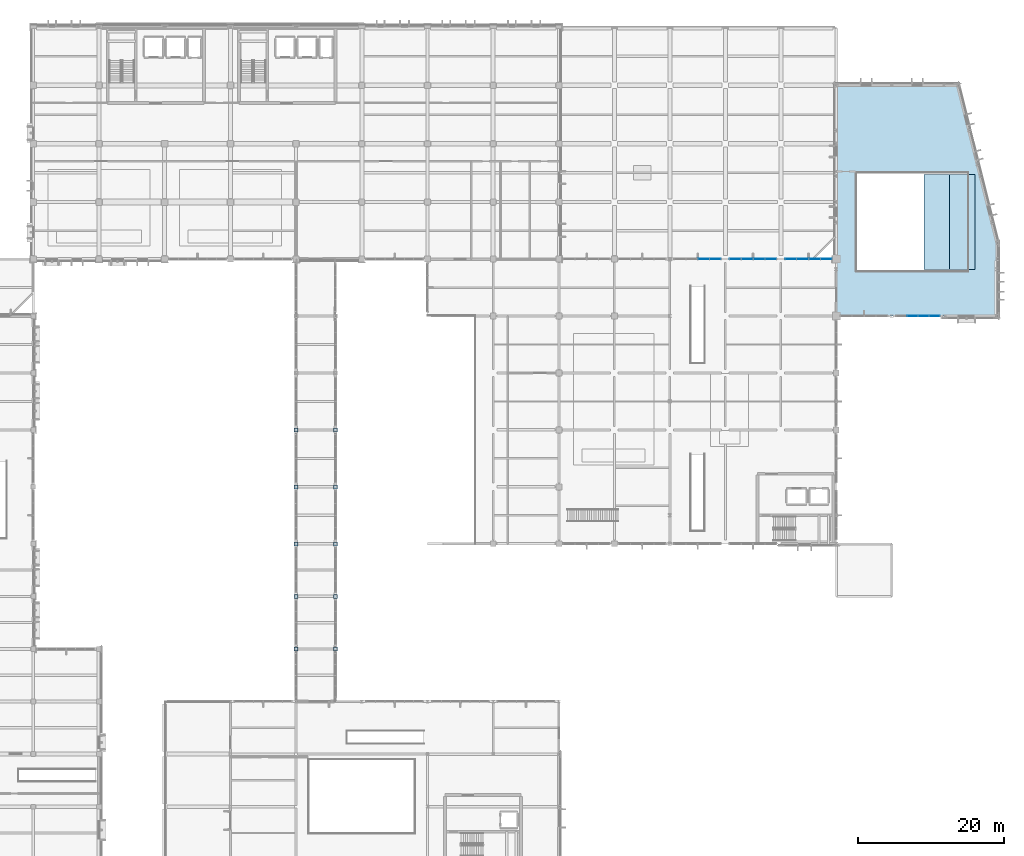
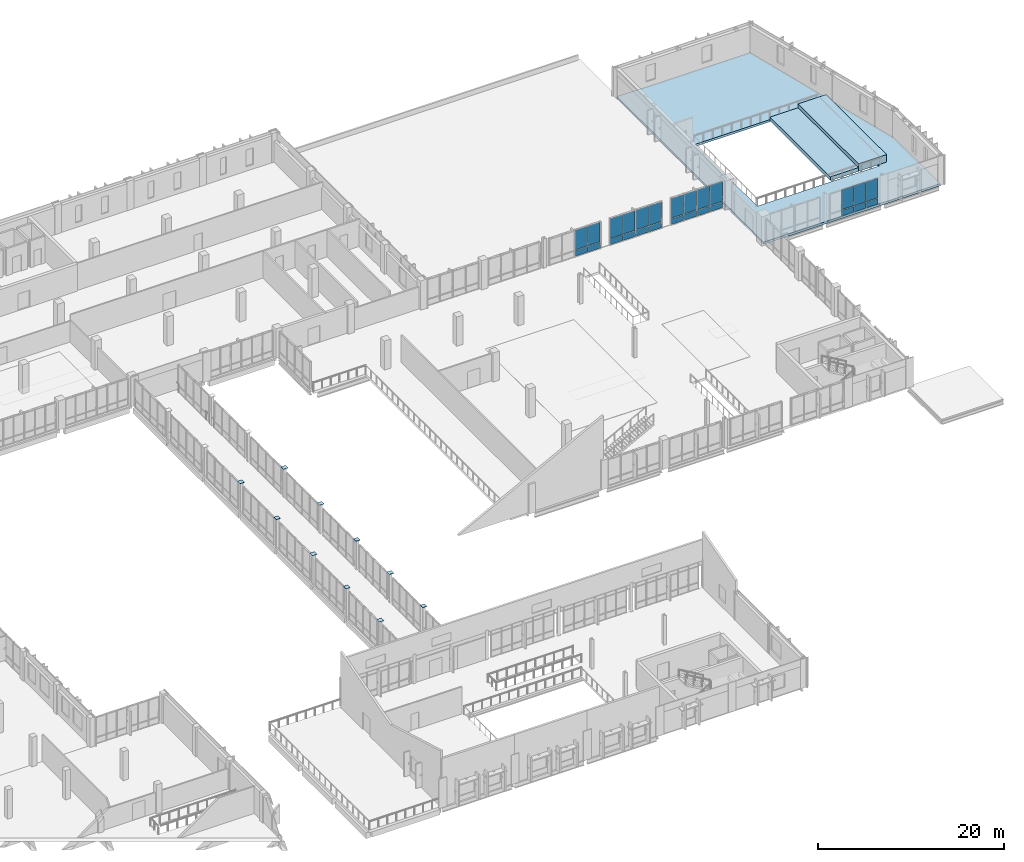
# One storey, part 50 of 85: 36 plates, 3 slabs, 6 elements without a shape of their own.
"""IFC4 building model written with IfcOpenShell, lengths in metres."""

from ifc_helpers import new_model, si_unit, direction, frame, origin, origin_2d, place, context, subcontext, project, spatial, polyline, rectangle, outline, extrude, material, layer, layer_set, type_object, element, aggregate, save


model = new_model("IFC4")

# Units and contexts
model_context = context("Model", 3, precision=1e-05, world=origin(), true_north=direction((0.0, 1.0)))
body_context = subcontext(model_context, "Body", "Model", "MODEL_VIEW")
ifc_project = project(units=[si_unit("LENGTHUNIT", "METRE"), si_unit("AREAUNIT", "SQUARE_METRE"), si_unit("VOLUMEUNIT", "CUBIC_METRE"), si_unit("PLANEANGLEUNIT", "RADIAN"), si_unit("MASSUNIT", "GRAM", prefix="KILO")], contexts=[model_context])

# Site, building, storey
site_placement = place(None, origin())
site = spatial("IfcSite", under=ifc_project, at=site_placement, CompositionType="ELEMENT")
building_placement = place(site_placement, origin())
building = spatial("IfcBuilding", under=site, at=building_placement, Name="Vervanel Yard Central Library", CompositionType="ELEMENT")
storey_placement = place(building_placement, frame((0.0, 0.0, 5.10009765625)))
storey = spatial("IfcBuildingStorey", under=building, at=storey_placement, Name="L01", CompositionType="ELEMENT", Elevation=5.10009765625)

# Slabs
ifc_material_1 = material(Name="Concrete C40/50", Category="concrete")
ifc_layer_1 = layer(ifc_material_1, 0.2900390625, Category="concrete")
ifc_layer_set_1 = layer_set([ifc_layer_1], Name="Concrete C40/50")
slab_type_1 = type_object("IfcSlabType", Name="Auditorium Balcony Floor Slab 290", PredefinedType="FLOOR", material=ifc_layer_set_1)
slab_1_placement = place(storey_placement, frame((0.0, 0.0, -0.2900390625)))
element("IfcSlab", 1, at=slab_1_placement, inside=storey, type_object=slab_type_1, Name="L01 V4 Auditorium Balcony Floor Slab 290", PredefinedType="FLOOR", context=body_context, shape_type="SweptSolid", body=[
    extrude(outline(polyline([(146.0, 74.39990234375), (168.0, 74.39990234375), (168.0, 84.39990234375), (162.60009765625, 106.0), (146.0, 106.0), (146.0, 74.39990234375)]), holes=[polyline([(148.800048828125, 80.60009765625), (164.0, 80.60009765625), (164.0, 94.0), (148.800048828125, 94.0), (148.800048828125, 80.60009765625)])]), origin(), (0.0, 0.0, 1.0), 0.2900390625),
])
ifc_layer_2 = layer(ifc_material_1, 0.5, Category="concrete")
ifc_layer_set_2 = layer_set([ifc_layer_2], Name="Concrete C40/50")
slab_type_2 = type_object("IfcSlabType", Name="Auditorium Balcony Raked Seating Tier 500", PredefinedType="USERDEFINED", material=ifc_layer_set_2)
slab_2_placement = place(storey_placement, origin())
element("IfcSlab", 2, at=slab_2_placement, inside=storey, type_object=slab_type_2, Name="L01 Raked Seating Tier TIER-V4-L01-1", ObjectType="SEATING TIER", PredefinedType="USERDEFINED", context=body_context, shape_type="SweptSolid", body=[
    extrude(outline(polyline([(158.0, 80.800048828125), (161.5, 80.800048828125), (161.5, 93.800048828125), (158.0, 93.800048828125), (158.0, 80.800048828125)])), origin(), (0.0, 0.0, 1.0), 0.5),
])
slab_3_placement = place(storey_placement, origin())
element("IfcSlab", 3, at=slab_3_placement, inside=storey, type_object=slab_type_2, Name="L01 Raked Seating Tier TIER-V4-L01-2", ObjectType="SEATING TIER", PredefinedType="USERDEFINED", context=body_context, shape_type="SweptSolid", body=[
    extrude(outline(polyline([(161.5, 80.800048828125), (165.0, 80.800048828125), (165.0, 93.800048828125), (161.5, 93.800048828125), (161.5, 80.800048828125)])), origin(), (0.0, 0.0, 1.0), 1.0),
])

# Curtain wall, plates
ifc_material_2 = material(Name="Thermally broken anodized aluminium 6063-T6", Category="aluminium")
curtain_wall_type_1 = type_object("IfcCurtainWallType", Name="Auditorium Foyer Curtain Wall", PredefinedType="NOTDEFINED", material=ifc_material_2)
curtain_wall_1_placement = place(storey_placement, origin())
curtain_wall_1 = element("IfcCurtainWall", 4, at=curtain_wall_1_placement, inside=storey, type_object=curtain_wall_type_1, Name="L01 Auditorium Foyer Curtain Wall CWR-L01-153", PredefinedType="NOTDEFINED")
ifc_material_3 = material(Name="Double low-E laminated solar-control glass", Category="glass")
ifc_layer_3 = layer(ifc_material_3, 0.035888671875, Category="glass")
ifc_layer_set_3 = layer_set([ifc_layer_3], Name="Double low-E laminated solar-control glass")
plate_type_1 = type_object("IfcPlateType", Name="Auditorium Foyer Tinted Panel 36", PredefinedType="CURTAIN_PANEL", material=ifc_layer_set_3)
plate_1_placement = place(storey_placement, frame((156.4482421875, 74.39990234375, 0.88232421875), z_axis=(0.0, 0.0, 1.0), x_axis=(1.0, 0.0, 0.0)))
plate_1 = element("IfcPlate", 5, at=plate_1_placement, type_object=plate_type_1, Name="CWR-L01-153 Panel B2-2", PredefinedType="CURTAIN_PANEL", context=body_context, shape_type="SweptSolid", body=[
    extrude(rectangle(XDim=1.438720703125, YDim=0.035888671875, at=origin_2d()), origin(), (0.0, 0.0, 1.0), 2.58251953125),
])
plate_2_placement = place(storey_placement, frame((157.951904296875, 74.39990234375, 0.88232421875), z_axis=(0.0, 0.0, 1.0), x_axis=(1.0, 0.0, 0.0)))
plate_2 = element("IfcPlate", 6, at=plate_2_placement, type_object=plate_type_1, Name="CWR-L01-153 Panel B3-2", PredefinedType="CURTAIN_PANEL", context=body_context, shape_type="SweptSolid", body=[
    extrude(rectangle(XDim=1.438720703125, YDim=0.035888671875, at=origin_2d()), origin(), (0.0, 0.0, 1.0), 2.58251953125),
])
plate_3_placement = place(storey_placement, frame((159.45556640625, 74.39990234375, 0.88232421875), z_axis=(0.0, 0.0, 1.0), x_axis=(1.0, 0.0, 0.0)))
plate_3 = element("IfcPlate", 7, at=plate_3_placement, type_object=plate_type_1, Name="CWR-L01-153 Panel B4-2", PredefinedType="CURTAIN_PANEL", context=body_context, shape_type="SweptSolid", body=[
    extrude(rectangle(XDim=1.438720703125, YDim=0.035888671875, at=origin_2d()), origin(), (0.0, 0.0, 1.0), 2.58251953125),
])

# Plates
ifc_material_4 = material(Name="Steel ASTM A572 Grade 50", Category="steel")
ifc_layer_4 = layer(ifc_material_4, 0.030029296875, Category="steel")
ifc_layer_set_4 = layer_set([ifc_layer_4], Name="Steel ASTM A572 Grade 50")
plate_type_2 = type_object("IfcPlateType", Name="Bridge Pier Base Plate 30", PredefinedType="SHEET", material=ifc_layer_set_4)
for number, where, z_axis, x_axis, name in (
    (8, (72.0, 28.800048828125, 3.83984375), (0.0, 0.0, 1.0), (1.0, 0.0, 0.0), "L01 HSS Column Top Cap Plate 9"),
    (9, (72.0, 36.0, 3.83984375), (0.0, 0.0, 1.0), (1.0, 0.0, 0.0), "L01 HSS Column Top Cap Plate 10"),
    (10, (72.0, 43.199951171875, 3.83984375), (0.0, 0.0, 1.0), (1.0, 0.0, 0.0), "L01 HSS Column Top Cap Plate 11"),
    (11, (72.0, 51.0, 3.83984375), (0.0, 0.0, 1.0), (1.0, 0.0, 0.0), "L01 HSS Column Top Cap Plate 12"),
    (12, (72.0, 58.800048828125, 3.83984375), (0.0, 0.0, 1.0), (1.0, 0.0, 0.0), "L01 HSS Column Top Cap Plate 13"),
    (13, (77.39990234375, 28.800048828125, 3.83984375), (0.0, 0.0, 1.0), (1.0, 0.0, 0.0), "L01 HSS Column Top Cap Plate 16"),
    (14, (77.39990234375, 36.0, 3.83984375), (0.0, 0.0, 1.0), (1.0, 0.0, 0.0), "L01 HSS Column Top Cap Plate 17"),
    (15, (77.39990234375, 43.199951171875, 3.83984375), (0.0, 0.0, 1.0), (1.0, 0.0, 0.0), "L01 HSS Column Top Cap Plate 18"),
    (16, (77.39990234375, 51.0, 3.83984375), (0.0, 0.0, 1.0), (1.0, 0.0, 0.0), "L01 HSS Column Top Cap Plate 19"),
    (17, (77.39990234375, 58.800048828125, 3.83984375), (0.0, 0.0, 1.0), (1.0, 0.0, 0.0), "L01 HSS Column Top Cap Plate 20"),
):
    element("IfcPlate", number, at=place(storey_placement, frame(where, z_axis=z_axis, x_axis=x_axis)), inside=storey, type_object=plate_type_2, Name=name, PredefinedType="SHEET", context=body_context, shape_type="SweptSolid", body=[
        extrude(rectangle(XDim=0.550048828125, YDim=0.550048828125, at=origin_2d()), origin(), (0.0, 0.0, 1.0), 0.030029296875),
    ])

# Curtain wall, plates
curtain_wall_type_2 = type_object("IfcCurtainWallType", Name="Reading Hall Full-Height Curtain Wall", PredefinedType="NOTDEFINED", material=ifc_material_2)
curtain_wall_2_placement = place(storey_placement, origin())
curtain_wall_2 = element("IfcCurtainWall", 18, at=curtain_wall_2_placement, inside=storey, type_object=curtain_wall_type_2, Name="L01 Reading Hall Full-Height Curtain Wall CWR-L01-091", PredefinedType="NOTDEFINED")
ifc_layer_5 = layer(ifc_material_3, 0.0380859375, Category="glass")
ifc_layer_set_5 = layer_set([ifc_layer_5], Name="Double low-E laminated solar-control glass")
plate_type_3 = type_object("IfcPlateType", Name="Reading Hall Acoustic Vision Panel 38", PredefinedType="CURTAIN_PANEL", material=ifc_layer_set_5)
plate_4_placement = place(storey_placement, frame((127.827392578125, 82.199951171875, 0.884765625), z_axis=(0.0, 0.0, 1.0), x_axis=(1.0, 0.0, 0.0)))
plate_4 = element("IfcPlate", 19, at=plate_4_placement, type_object=plate_type_3, Name="CWR-L01-091 Panel B1-2", PredefinedType="CURTAIN_PANEL", context=body_context, shape_type="SweptSolid", body=[
    extrude(rectangle(XDim=1.514892578125, YDim=0.0380859375, at=origin_2d()), origin(), (0.0, 0.0, 1.0), 2.574951171875),
])
plate_5_placement = place(storey_placement, frame((129.41259765625, 82.199951171875, 0.884765625), z_axis=(0.0, 0.0, 1.0), x_axis=(1.0, 0.0, 0.0)))
plate_5 = element("IfcPlate", 20, at=plate_5_placement, type_object=plate_type_3, Name="CWR-L01-091 Panel B2-2", PredefinedType="CURTAIN_PANEL", context=body_context, shape_type="SweptSolid", body=[
    extrude(rectangle(XDim=1.514892578125, YDim=0.0380859375, at=origin_2d()), origin(), (0.0, 0.0, 1.0), 2.574951171875),
])

curtain_wall_3_placement = place(storey_placement, origin())
curtain_wall_3 = element("IfcCurtainWall", 21, at=curtain_wall_3_placement, inside=storey, type_object=curtain_wall_type_2, Name="L01 Reading Hall Full-Height Curtain Wall CWR-L01-092", PredefinedType="NOTDEFINED")
plate_6_placement = place(storey_placement, frame((132.1875, 82.199951171875, 0.884765625), z_axis=(0.0, 0.0, 1.0), x_axis=(1.0, 0.0, 0.0)))
plate_6 = element("IfcPlate", 22, at=plate_6_placement, type_object=plate_type_3, Name="CWR-L01-092 Panel B1-2", PredefinedType="CURTAIN_PANEL", context=body_context, shape_type="SweptSolid", body=[
    extrude(rectangle(XDim=1.514892578125, YDim=0.0380859375, at=origin_2d()), origin(), (0.0, 0.0, 1.0), 2.574951171875),
])
plate_7_placement = place(storey_placement, frame((133.7724609375, 82.199951171875, 0.884765625), z_axis=(0.0, 0.0, 1.0), x_axis=(1.0, 0.0, 0.0)))
plate_7 = element("IfcPlate", 23, at=plate_7_placement, type_object=plate_type_3, Name="CWR-L01-092 Panel B2-2", PredefinedType="CURTAIN_PANEL", context=body_context, shape_type="SweptSolid", body=[
    extrude(rectangle(XDim=1.514892578125, YDim=0.0380859375, at=origin_2d()), origin(), (0.0, 0.0, 1.0), 2.574951171875),
])

curtain_wall_4_placement = place(storey_placement, origin())
curtain_wall_4 = element("IfcCurtainWall", 24, at=curtain_wall_4_placement, inside=storey, type_object=curtain_wall_type_2, Name="L01 Reading Hall Full-Height Curtain Wall CWR-L01-093", PredefinedType="NOTDEFINED")
plate_8_placement = place(storey_placement, frame((135.427490234375, 82.199951171875, 0.884765625), z_axis=(0.0, 0.0, 1.0), x_axis=(1.0, 0.0, 0.0)))
plate_8 = element("IfcPlate", 25, at=plate_8_placement, type_object=plate_type_3, Name="CWR-L01-093 Panel B1-2", PredefinedType="CURTAIN_PANEL", context=body_context, shape_type="SweptSolid", body=[
    extrude(rectangle(XDim=1.514892578125, YDim=0.0380859375, at=origin_2d()), origin(), (0.0, 0.0, 1.0), 2.574951171875),
])
plate_9_placement = place(storey_placement, frame((137.012451171875, 82.199951171875, 0.884765625), z_axis=(0.0, 0.0, 1.0), x_axis=(1.0, 0.0, 0.0)))
plate_9 = element("IfcPlate", 26, at=plate_9_placement, type_object=plate_type_3, Name="CWR-L01-093 Panel B2-2", PredefinedType="CURTAIN_PANEL", context=body_context, shape_type="SweptSolid", body=[
    extrude(rectangle(XDim=1.514892578125, YDim=0.0380859375, at=origin_2d()), origin(), (0.0, 0.0, 1.0), 2.574951171875),
])

curtain_wall_5_placement = place(storey_placement, origin())
curtain_wall_5 = element("IfcCurtainWall", 27, at=curtain_wall_5_placement, inside=storey, type_object=curtain_wall_type_2, Name="L01 Reading Hall Full-Height Curtain Wall CWR-L01-094", PredefinedType="NOTDEFINED")
plate_10_placement = place(storey_placement, frame((139.78759765625, 82.199951171875, 0.884765625), z_axis=(0.0, 0.0, 1.0), x_axis=(1.0, 0.0, 0.0)))
plate_10 = element("IfcPlate", 28, at=plate_10_placement, type_object=plate_type_3, Name="CWR-L01-094 Panel B1-2", PredefinedType="CURTAIN_PANEL", context=body_context, shape_type="SweptSolid", body=[
    extrude(rectangle(XDim=1.514892578125, YDim=0.0380859375, at=origin_2d()), origin(), (0.0, 0.0, 1.0), 2.574951171875),
])
plate_11_placement = place(storey_placement, frame((141.37255859375, 82.199951171875, 0.884765625), z_axis=(0.0, 0.0, 1.0), x_axis=(1.0, 0.0, 0.0)))
plate_11 = element("IfcPlate", 29, at=plate_11_placement, type_object=plate_type_3, Name="CWR-L01-094 Panel B2-2", PredefinedType="CURTAIN_PANEL", context=body_context, shape_type="SweptSolid", body=[
    extrude(rectangle(XDim=1.514892578125, YDim=0.0380859375, at=origin_2d()), origin(), (0.0, 0.0, 1.0), 2.574951171875),
])

curtain_wall_6_placement = place(storey_placement, origin())
curtain_wall_6 = element("IfcCurtainWall", 30, at=curtain_wall_6_placement, inside=storey, type_object=curtain_wall_type_2, Name="L01 Reading Hall Full-Height Curtain Wall CWR-L01-095", PredefinedType="NOTDEFINED")
plate_12_placement = place(storey_placement, frame((143.027587890625, 82.199951171875, 0.884765625), z_axis=(0.0, 0.0, 1.0), x_axis=(1.0, 0.0, 0.0)))
plate_12 = element("IfcPlate", 31, at=plate_12_placement, type_object=plate_type_3, Name="CWR-L01-095 Panel B1-2", PredefinedType="CURTAIN_PANEL", context=body_context, shape_type="SweptSolid", body=[
    extrude(rectangle(XDim=1.514892578125, YDim=0.0380859375, at=origin_2d()), origin(), (0.0, 0.0, 1.0), 2.574951171875),
])
plate_13_placement = place(storey_placement, frame((144.612548828125, 82.199951171875, 0.884765625), z_axis=(0.0, 0.0, 1.0), x_axis=(1.0, 0.0, 0.0)))
plate_13 = element("IfcPlate", 32, at=plate_13_placement, type_object=plate_type_3, Name="CWR-L01-095 Panel B2-2", PredefinedType="CURTAIN_PANEL", context=body_context, shape_type="SweptSolid", body=[
    extrude(rectangle(XDim=1.514892578125, YDim=0.0380859375, at=origin_2d()), origin(), (0.0, 0.0, 1.0), 2.574951171875),
])

# Plate
ifc_material_5 = material(Name="Insulated bronze aluminium spandrel panel", Category="aluminium")
ifc_layer_6 = layer(ifc_material_5, 0.094970703125, Category="aluminium")
ifc_layer_set_6 = layer_set([ifc_layer_6], Name="Insulated bronze aluminium spandrel panel")
plate_type_4 = type_object("IfcPlateType", Name="Reading Hall Shadow-Box Spandrel 95", PredefinedType="CURTAIN_PANEL", material=ifc_layer_set_6)
plate_14_placement = place(storey_placement, frame((127.827392578125, 82.199951171875, 0.06982421875), z_axis=(0.0, 0.0, 1.0), x_axis=(1.0, 0.0, 0.0)))
plate_14 = element("IfcPlate", 33, at=plate_14_placement, type_object=plate_type_4, Name="CWR-L01-091 Panel B1-1", PredefinedType="CURTAIN_PANEL", context=body_context, shape_type="SweptSolid", body=[
    extrude(rectangle(XDim=1.514892578125, YDim=0.094970703125, at=origin_2d()), origin(), (0.0, 0.0, 1.0), 0.7451171875),
])

plate_15_placement = place(storey_placement, frame((129.41259765625, 82.199951171875, 0.06982421875), z_axis=(0.0, 0.0, 1.0), x_axis=(1.0, 0.0, 0.0)))
plate_15 = element("IfcPlate", 34, at=plate_15_placement, type_object=plate_type_4, Name="CWR-L01-091 Panel B2-1", PredefinedType="CURTAIN_PANEL", context=body_context, shape_type="SweptSolid", body=[
    extrude(rectangle(XDim=1.514892578125, YDim=0.094970703125, at=origin_2d()), origin(), (0.0, 0.0, 1.0), 0.7451171875),
])

aggregate(curtain_wall_2, [plate_14, plate_4, plate_15, plate_5])

plate_16_placement = place(storey_placement, frame((132.1875, 82.199951171875, 0.06982421875), z_axis=(0.0, 0.0, 1.0), x_axis=(1.0, 0.0, 0.0)))
plate_16 = element("IfcPlate", 35, at=plate_16_placement, type_object=plate_type_4, Name="CWR-L01-092 Panel B1-1", PredefinedType="CURTAIN_PANEL", context=body_context, shape_type="SweptSolid", body=[
    extrude(rectangle(XDim=1.514892578125, YDim=0.094970703125, at=origin_2d()), origin(), (0.0, 0.0, 1.0), 0.7451171875),
])

plate_17_placement = place(storey_placement, frame((133.7724609375, 82.199951171875, 0.06982421875), z_axis=(0.0, 0.0, 1.0), x_axis=(1.0, 0.0, 0.0)))
plate_17 = element("IfcPlate", 36, at=plate_17_placement, type_object=plate_type_4, Name="CWR-L01-092 Panel B2-1", PredefinedType="CURTAIN_PANEL", context=body_context, shape_type="SweptSolid", body=[
    extrude(rectangle(XDim=1.514892578125, YDim=0.094970703125, at=origin_2d()), origin(), (0.0, 0.0, 1.0), 0.7451171875),
])

aggregate(curtain_wall_3, [plate_16, plate_6, plate_17, plate_7])

plate_18_placement = place(storey_placement, frame((135.427490234375, 82.199951171875, 0.06982421875), z_axis=(0.0, 0.0, 1.0), x_axis=(1.0, 0.0, 0.0)))
plate_18 = element("IfcPlate", 37, at=plate_18_placement, type_object=plate_type_4, Name="CWR-L01-093 Panel B1-1", PredefinedType="CURTAIN_PANEL", context=body_context, shape_type="SweptSolid", body=[
    extrude(rectangle(XDim=1.514892578125, YDim=0.094970703125, at=origin_2d()), origin(), (0.0, 0.0, 1.0), 0.7451171875),
])

plate_19_placement = place(storey_placement, frame((137.012451171875, 82.199951171875, 0.06982421875), z_axis=(0.0, 0.0, 1.0), x_axis=(1.0, 0.0, 0.0)))
plate_19 = element("IfcPlate", 38, at=plate_19_placement, type_object=plate_type_4, Name="CWR-L01-093 Panel B2-1", PredefinedType="CURTAIN_PANEL", context=body_context, shape_type="SweptSolid", body=[
    extrude(rectangle(XDim=1.514892578125, YDim=0.094970703125, at=origin_2d()), origin(), (0.0, 0.0, 1.0), 0.7451171875),
])

aggregate(curtain_wall_4, [plate_18, plate_8, plate_19, plate_9])

plate_20_placement = place(storey_placement, frame((139.78759765625, 82.199951171875, 0.06982421875), z_axis=(0.0, 0.0, 1.0), x_axis=(1.0, 0.0, 0.0)))
plate_20 = element("IfcPlate", 39, at=plate_20_placement, type_object=plate_type_4, Name="CWR-L01-094 Panel B1-1", PredefinedType="CURTAIN_PANEL", context=body_context, shape_type="SweptSolid", body=[
    extrude(rectangle(XDim=1.514892578125, YDim=0.094970703125, at=origin_2d()), origin(), (0.0, 0.0, 1.0), 0.7451171875),
])

plate_21_placement = place(storey_placement, frame((141.37255859375, 82.199951171875, 0.06982421875), z_axis=(0.0, 0.0, 1.0), x_axis=(1.0, 0.0, 0.0)))
plate_21 = element("IfcPlate", 40, at=plate_21_placement, type_object=plate_type_4, Name="CWR-L01-094 Panel B2-1", PredefinedType="CURTAIN_PANEL", context=body_context, shape_type="SweptSolid", body=[
    extrude(rectangle(XDim=1.514892578125, YDim=0.094970703125, at=origin_2d()), origin(), (0.0, 0.0, 1.0), 0.7451171875),
])

aggregate(curtain_wall_5, [plate_20, plate_10, plate_21, plate_11])

plate_22_placement = place(storey_placement, frame((143.027587890625, 82.199951171875, 0.06982421875), z_axis=(0.0, 0.0, 1.0), x_axis=(1.0, 0.0, 0.0)))
plate_22 = element("IfcPlate", 41, at=plate_22_placement, type_object=plate_type_4, Name="CWR-L01-095 Panel B1-1", PredefinedType="CURTAIN_PANEL", context=body_context, shape_type="SweptSolid", body=[
    extrude(rectangle(XDim=1.514892578125, YDim=0.094970703125, at=origin_2d()), origin(), (0.0, 0.0, 1.0), 0.7451171875),
])

plate_23_placement = place(storey_placement, frame((144.612548828125, 82.199951171875, 0.06982421875), z_axis=(0.0, 0.0, 1.0), x_axis=(1.0, 0.0, 0.0)))
plate_23 = element("IfcPlate", 42, at=plate_23_placement, type_object=plate_type_4, Name="CWR-L01-095 Panel B2-1", PredefinedType="CURTAIN_PANEL", context=body_context, shape_type="SweptSolid", body=[
    extrude(rectangle(XDim=1.514892578125, YDim=0.094970703125, at=origin_2d()), origin(), (0.0, 0.0, 1.0), 0.7451171875),
])

aggregate(curtain_wall_6, [plate_22, plate_12, plate_23, plate_13])

ifc_layer_7 = layer(ifc_material_5, 0.110107421875, Category="aluminium")
ifc_layer_set_7 = layer_set([ifc_layer_7], Name="Insulated bronze aluminium spandrel panel")
plate_type_5 = type_object("IfcPlateType", Name="Slab-Edge Fire-Stop Spandrel 110", PredefinedType="CURTAIN_PANEL", material=ifc_layer_set_7)
plate_24_placement = place(storey_placement, frame((156.4482421875, 74.39990234375, 0.06494140625), z_axis=(0.0, 0.0, 1.0), x_axis=(1.0, 0.0, 0.0)))
plate_24 = element("IfcPlate", 43, at=plate_24_placement, type_object=plate_type_5, Name="CWR-L01-153 Panel B2-1", PredefinedType="CURTAIN_PANEL", context=body_context, shape_type="SweptSolid", body=[
    extrude(rectangle(XDim=1.438720703125, YDim=0.110107421875, at=origin_2d()), origin(), (0.0, 0.0, 1.0), 0.75244140625),
])

plate_25_placement = place(storey_placement, frame((157.951904296875, 74.39990234375, 0.06494140625), z_axis=(0.0, 0.0, 1.0), x_axis=(1.0, 0.0, 0.0)))
plate_25 = element("IfcPlate", 44, at=plate_25_placement, type_object=plate_type_5, Name="CWR-L01-153 Panel B3-1", PredefinedType="CURTAIN_PANEL", context=body_context, shape_type="SweptSolid", body=[
    extrude(rectangle(XDim=1.438720703125, YDim=0.110107421875, at=origin_2d()), origin(), (0.0, 0.0, 1.0), 0.75244140625),
])

plate_26_placement = place(storey_placement, frame((159.45556640625, 74.39990234375, 0.06494140625), z_axis=(0.0, 0.0, 1.0), x_axis=(1.0, 0.0, 0.0)))
plate_26 = element("IfcPlate", 45, at=plate_26_placement, type_object=plate_type_5, Name="CWR-L01-153 Panel B4-1", PredefinedType="CURTAIN_PANEL", context=body_context, shape_type="SweptSolid", body=[
    extrude(rectangle(XDim=1.438720703125, YDim=0.110107421875, at=origin_2d()), origin(), (0.0, 0.0, 1.0), 0.75244140625),
])

aggregate(curtain_wall_1, [plate_24, plate_1, plate_25, plate_2, plate_26, plate_3])

save(model, "model.ifc")
